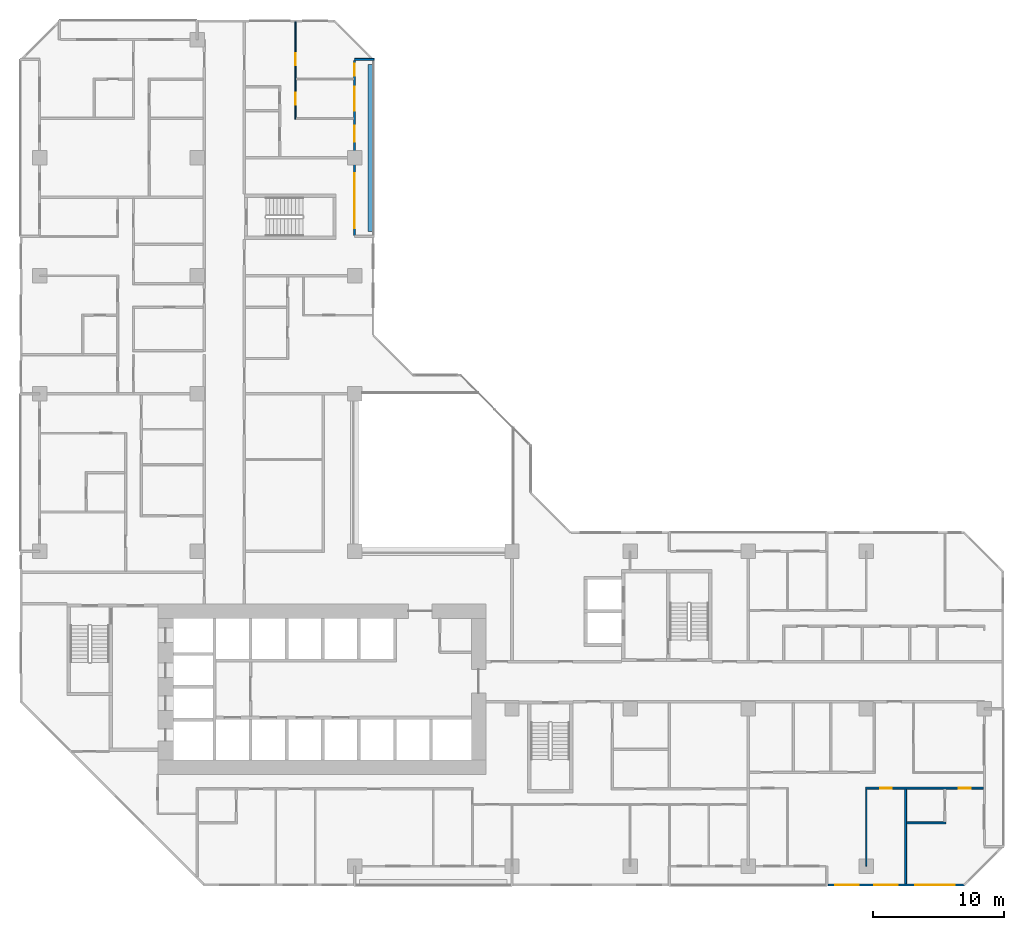
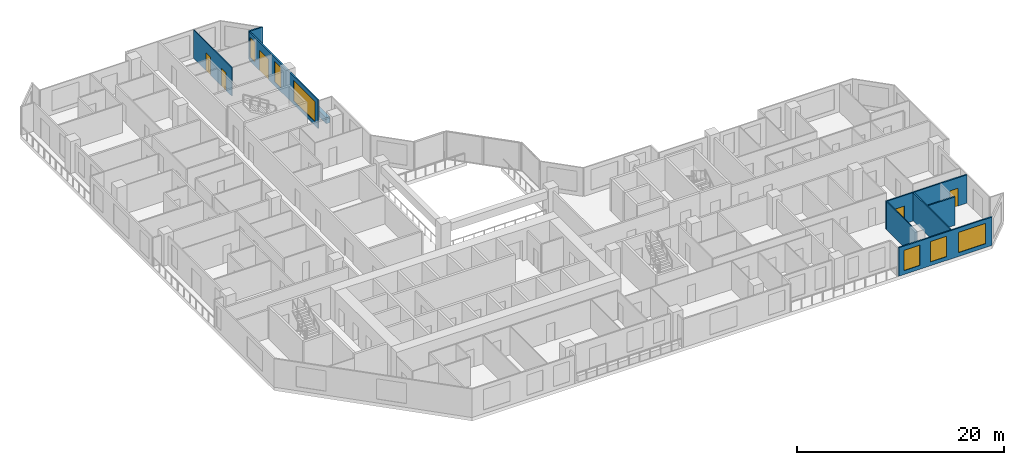
# One storey, part 11 of 15: 9 walls, 6 windows, 5 doors, 11 openings.
"""IFC4 building model written with IfcOpenShell, lengths in metres."""

from ifc_helpers import new_model, si_unit, direction, frame, frame_2d, origin, place, context, subcontext, project, spatial, rectangle, extrude, material, layer, layer_set, type_object, element, fill, save


model = new_model("IFC4")

# Units and contexts
model_context = context("Model", 3, precision=1e-05, world=origin(), true_north=direction((0.0, 1.0)))
body_context = subcontext(model_context, "Body", "Model", "MODEL_VIEW")
ifc_project = project(units=[si_unit("LENGTHUNIT", "METRE"), si_unit("AREAUNIT", "SQUARE_METRE"), si_unit("VOLUMEUNIT", "CUBIC_METRE"), si_unit("PLANEANGLEUNIT", "RADIAN"), si_unit("MASSUNIT", "GRAM", prefix="KILO")], contexts=[model_context])

# Site, building, storey
site_placement = place(None, origin())
site = spatial("IfcSite", under=ifc_project, at=site_placement, CompositionType="ELEMENT")
building_placement = place(site_placement, origin())
building = spatial("IfcBuilding", under=site, at=building_placement, Name="Chenar Terraces", CompositionType="ELEMENT")
storey_placement = place(building_placement, frame((0.0, 0.0, 52.64990234375)))
storey = spatial("IfcBuildingStorey", under=building, at=storey_placement, Name="L10", CompositionType="ELEMENT", Elevation=52.64990234375)

# Wall, openings, windows
ifc_material_1 = material(Name="Aluminium framed glazing", Category="aluminium")
ifc_layer_1 = layer(ifc_material_1, 0.14990234375)
ifc_layer_set_1 = layer_set([ifc_layer_1], Name="Aluminium framed glazing")
wall_type_1 = type_object("IfcWallType", Name="Glazed flush facade wall 150", PredefinedType="SOLIDWALL", material=ifc_layer_set_1)
wall_1_placement = place(storey_placement, frame((60.074951171875, -1.425048828125, 0.0), z_axis=(0.0, 0.0, 1.0), x_axis=(1.0, 0.0, 0.0)))
wall_1 = element("IfcWall", 1, at=wall_1_placement, inside=storey, type_object=wall_type_1, Name="Glazed flush facade wall", PredefinedType="SOLIDWALL", context=body_context, shape_type="SweptSolid", body=[
    extrude(rectangle(XDim=10.425048828125, YDim=0.14990234375, at=frame_2d((5.21240234375, 0.0))), origin(), (0.0, 0.0, 1.0), 3.35009765625),
])
opening_1_placement = place(wall_1_placement, frame((0.5625, 0.0, 0.449951171875)))
opening_1 = element("IfcOpeningElement", 2, at=opening_1_placement, cuts=wall_1, Name="Opening W180x240", PredefinedType="OPENING", context=body_context, shape_type="SweptSolid", body=[
    extrude(rectangle(XDim=1.800048828125, YDim=2.39990234375, at=frame_2d((0.89990234375, 1.199951171875))), frame((0.0, 0.0849609375, 0.0), z_axis=(0.0, -1.0, 0.0), x_axis=(1.0, 0.0, 0.0)), (0.0, 0.0, 1.0), 0.169921875),
])
opening_2_placement = place(wall_1_placement, frame((3.52490234375, 0.0, 0.449951171875)))
opening_2 = element("IfcOpeningElement", 3, at=opening_2_placement, cuts=wall_1, Name="Opening W180x240", PredefinedType="OPENING", context=body_context, shape_type="SweptSolid", body=[
    extrude(rectangle(XDim=1.800048828125, YDim=2.39990234375, at=frame_2d((0.89990234375, 1.199951171875))), frame((0.0, 0.0849609375, 0.0), z_axis=(0.0, -1.0, 0.0), x_axis=(1.0, 0.0, 0.0)), (0.0, 0.0, 1.0), 0.169921875),
])
opening_3_placement = place(wall_1_placement, frame((6.675048828125, 0.0, 0.449951171875)))
opening_3 = element("IfcOpeningElement", 4, at=opening_3_placement, cuts=wall_1, Name="Opening W300x240", PredefinedType="OPENING", context=body_context, shape_type="SweptSolid", body=[
    extrude(rectangle(XDim=3.0, YDim=2.39990234375, at=frame_2d((1.5, 1.199951171875))), frame((0.0, 0.0849609375, 0.0), z_axis=(0.0, -1.0, 0.0), x_axis=(1.0, 0.0, 0.0)), (0.0, 0.0, 1.0), 0.169921875),
])
ifc_material_2 = material(Name="Low emissivity double glazing, aluminium frame", Category="aluminium")
window_type_1 = type_object("IfcWindowType", Name="Fixed light 1800 x 2400", PartitioningType="SINGLE_PANEL", PredefinedType="WINDOW", material=ifc_material_2)
window_1_placement = place(opening_1_placement, origin())
window_1 = element("IfcWindow", 5, at=window_1_placement, inside=storey, type_object=window_type_1, Name="Window", OverallHeight=2.39990234375, OverallWidth=1.800048828125, PartitioningType="SINGLE_PANEL", PredefinedType="WINDOW", context=body_context, shape_type="SweptSolid", body=[
    extrude(rectangle(XDim=1.800048828125, YDim=2.39990234375, at=frame_2d((0.89990234375, 1.199951171875))), frame((0.0, 0.030029296875, 0.0), z_axis=(0.0, -1.0, 0.0), x_axis=(1.0, 0.0, 0.0)), (0.0, 0.0, 1.0), 0.06005859375),
])
fill(opening_1, window_1)
window_2_placement = place(opening_2_placement, origin())
window_2 = element("IfcWindow", 6, at=window_2_placement, inside=storey, type_object=window_type_1, Name="Window", OverallHeight=2.39990234375, OverallWidth=1.800048828125, PartitioningType="SINGLE_PANEL", PredefinedType="WINDOW", context=body_context, shape_type="SweptSolid", body=[
    extrude(rectangle(XDim=1.800048828125, YDim=2.39990234375, at=frame_2d((0.89990234375, 1.199951171875))), frame((0.0, 0.030029296875, 0.0), z_axis=(0.0, -1.0, 0.0), x_axis=(1.0, 0.0, 0.0)), (0.0, 0.0, 1.0), 0.06005859375),
])
fill(opening_2, window_2)
ifc_material_3 = material(Name="Low emissivity double glazing, aluminium frame", Category="aluminium")
window_type_2 = type_object("IfcWindowType", Name="Fixed light 3000 x 2400", PartitioningType="SINGLE_PANEL", PredefinedType="WINDOW", material=ifc_material_3)
window_3_placement = place(opening_3_placement, origin())
window_3 = element("IfcWindow", 7, at=window_3_placement, inside=storey, type_object=window_type_2, Name="Window", OverallHeight=2.39990234375, OverallWidth=3.0, PartitioningType="SINGLE_PANEL", PredefinedType="WINDOW", context=body_context, shape_type="SweptSolid", body=[
    extrude(rectangle(XDim=3.0, YDim=2.39990234375, at=frame_2d((1.5, 1.199951171875))), frame((0.0, 0.030029296875, 0.0), z_axis=(0.0, -1.0, 0.0), x_axis=(1.0, 0.0, 0.0)), (0.0, 0.0, 1.0), 0.06005859375),
])
fill(opening_3, window_3)

# Wall, openings, windows, door
ifc_material_4 = material(Name="Aluminium framed glazing", Category="aluminium")
ifc_layer_2 = layer(ifc_material_4, 0.14990234375)
ifc_layer_set_2 = layer_set([ifc_layer_2], Name="Aluminium framed glazing")
wall_type_2 = type_object("IfcWallType", Name="Glazed loggia back wall 150", PredefinedType="SOLIDWALL", material=ifc_layer_set_2)
wall_2_placement = place(storey_placement, frame((24.0, 48.074951171875, 0.0), z_axis=(0.0, 0.0, 1.0), x_axis=(0.0, 1.0, 0.0)))
wall_2 = element("IfcWall", 8, at=wall_2_placement, inside=storey, type_object=wall_type_2, Name="Glazed loggia back wall", PredefinedType="SOLIDWALL", context=body_context, shape_type="SweptSolid", body=[
    extrude(rectangle(XDim=13.35009765625, YDim=0.14990234375, at=frame_2d((6.675048828125, 0.0))), origin(), (0.0, 0.0, 1.0), 3.35009765625),
])
opening_4_placement = place(wall_2_placement, frame((0.53759765625, 0.0, 0.449951171875)))
opening_4 = element("IfcOpeningElement", 9, at=opening_4_placement, cuts=wall_2, Name="Opening W420x240", PredefinedType="OPENING", context=body_context, shape_type="SweptSolid", body=[
    extrude(rectangle(XDim=4.199951171875, YDim=2.39990234375, at=frame_2d((2.10009765625, 1.199951171875))), frame((0.0, 0.0849609375, 0.0), z_axis=(0.0, -1.0, 0.0), x_axis=(1.0, 0.0, 0.0)), (0.0, 0.0, 1.0), 0.169921875),
])
opening_5_placement = place(wall_2_placement, frame((7.14990234375, 0.0, 0.449951171875)))
opening_5 = element("IfcOpeningElement", 10, at=opening_5_placement, cuts=wall_2, Name="Opening W120x240", PredefinedType="OPENING", context=body_context, shape_type="SweptSolid", body=[
    extrude(rectangle(XDim=1.199951171875, YDim=2.39990234375, at=frame_2d((0.60009765625, 1.199951171875))), frame((0.0, 0.0849609375, 0.0), z_axis=(0.0, -1.0, 0.0), x_axis=(1.0, 0.0, 0.0)), (0.0, 0.0, 1.0), 0.169921875),
])
opening_6_placement = place(wall_2_placement, frame((9.52490234375, 0.0, 0.0)))
opening_6 = element("IfcOpeningElement", 11, at=opening_6_placement, cuts=wall_2, Name="Opening DL10-G1", PredefinedType="OPENING", context=body_context, shape_type="SweptSolid", body=[
    extrude(rectangle(XDim=1.800048828125, YDim=2.39990234375, at=frame_2d((0.89990234375, 1.199951171875))), frame((0.0, 0.0849609375, 0.0), z_axis=(0.0, -1.0, 0.0), x_axis=(1.0, 0.0, 0.0)), (0.0, 0.0, 1.0), 0.169921875),
])
opening_7_placement = place(wall_2_placement, frame((12.1875, 0.0, 0.449951171875)))
opening_7 = element("IfcOpeningElement", 12, at=opening_7_placement, cuts=wall_2, Name="Opening W90x240", PredefinedType="OPENING", context=body_context, shape_type="SweptSolid", body=[
    extrude(rectangle(XDim=0.89990234375, YDim=2.39990234375, at=frame_2d((0.449951171875, 1.199951171875))), frame((0.0, 0.0849609375, 0.0), z_axis=(0.0, -1.0, 0.0), x_axis=(1.0, 0.0, 0.0)), (0.0, 0.0, 1.0), 0.169921875),
])
ifc_material_5 = material(Name="Low emissivity double glazing, aluminium frame", Category="aluminium")
window_type_3 = type_object("IfcWindowType", Name="Fixed light 1200 x 2400", PartitioningType="SINGLE_PANEL", PredefinedType="WINDOW", material=ifc_material_5)
window_4_placement = place(opening_5_placement, origin())
window_4 = element("IfcWindow", 13, at=window_4_placement, inside=storey, type_object=window_type_3, Name="Window", OverallHeight=2.39990234375, OverallWidth=1.199951171875, PartitioningType="SINGLE_PANEL", PredefinedType="WINDOW", context=body_context, shape_type="SweptSolid", body=[
    extrude(rectangle(XDim=1.199951171875, YDim=2.39990234375, at=frame_2d((0.60009765625, 1.199951171875))), frame((0.0, 0.030029296875, 0.0), z_axis=(0.0, -1.0, 0.0), x_axis=(1.0, 0.0, 0.0)), (0.0, 0.0, 1.0), 0.06005859375),
])
fill(opening_5, window_4)
ifc_material_6 = material(Name="Low emissivity double glazing, aluminium frame", Category="aluminium")
window_type_4 = type_object("IfcWindowType", Name="Fixed light 4200 x 2400", PartitioningType="SINGLE_PANEL", PredefinedType="WINDOW", material=ifc_material_6)
window_5_placement = place(opening_4_placement, origin())
window_5 = element("IfcWindow", 14, at=window_5_placement, inside=storey, type_object=window_type_4, Name="Window", OverallHeight=2.39990234375, OverallWidth=4.199951171875, PartitioningType="SINGLE_PANEL", PredefinedType="WINDOW", context=body_context, shape_type="SweptSolid", body=[
    extrude(rectangle(XDim=4.199951171875, YDim=2.39990234375, at=frame_2d((2.10009765625, 1.199951171875))), frame((0.0, 0.030029296875, 0.0), z_axis=(0.0, -1.0, 0.0), x_axis=(1.0, 0.0, 0.0)), (0.0, 0.0, 1.0), 0.06005859375),
])
fill(opening_4, window_5)
ifc_material_7 = material(Name="Low emissivity double glazing, aluminium frame", Category="aluminium")
window_type_5 = type_object("IfcWindowType", Name="Fixed light 900 x 2400", PartitioningType="SINGLE_PANEL", PredefinedType="WINDOW", material=ifc_material_7)
window_6_placement = place(opening_7_placement, origin())
window_6 = element("IfcWindow", 15, at=window_6_placement, inside=storey, type_object=window_type_5, Name="Window", OverallHeight=2.39990234375, OverallWidth=0.89990234375, PartitioningType="SINGLE_PANEL", PredefinedType="WINDOW", context=body_context, shape_type="SweptSolid", body=[
    extrude(rectangle(XDim=0.89990234375, YDim=2.39990234375, at=frame_2d((0.449951171875, 1.199951171875))), frame((0.0, 0.030029296875, 0.0), z_axis=(0.0, -1.0, 0.0), x_axis=(1.0, 0.0, 0.0)), (0.0, 0.0, 1.0), 0.06005859375),
])
fill(opening_7, window_6)
ifc_material_8 = material(Name="Low emissivity double glazing, aluminium frame", Category="aluminium")
door_type_1 = type_object("IfcDoorType", Name="Loggia glazed double door 1800 x 2400", OperationType="DOUBLE_DOOR_SINGLE_SWING", PredefinedType="DOOR", material=ifc_material_8)
door_1_placement = place(opening_6_placement, frame((1.800048828125, 0.0, 0.0), z_axis=(0.0, 0.0, 1.0), x_axis=(-1.0, 0.0, 0.0)))
door_1 = element("IfcDoor", 16, at=door_1_placement, inside=storey, type_object=door_type_1, Name="Loggia glazed door", OperationType="DOUBLE_DOOR_SINGLE_SWING", OverallHeight=2.39990234375, OverallWidth=1.800048828125, PredefinedType="DOOR", context=body_context, shape_type="SweptSolid", body=[
    extrude(rectangle(XDim=1.800048828125, YDim=2.39990234375, at=frame_2d((0.89990234375, 1.199951171875))), frame((0.0, 0.02490234375, 0.0), z_axis=(0.0, -1.0, 0.0), x_axis=(1.0, 0.0, 0.0)), (0.0, 0.0, 1.0), 0.050048828125),
])
fill(opening_6, door_1)

# Wall, openings, doors
ifc_material_9 = material(Name="Gypsum board on steel studs", Category="steel")
ifc_layer_3 = layer(ifc_material_9, 0.10009765625)
ifc_layer_set_3 = layer_set([ifc_layer_3], Name="Gypsum board on steel studs")
wall_type_3 = type_object("IfcWallType", Name="Gypsum partition 100", PredefinedType="PARTITIONING", material=ifc_layer_set_3)
wall_3_placement = place(storey_placement, frame((19.5, 56.949951171875, 0.0), z_axis=(0.0, 0.0, 1.0), x_axis=(0.0, 1.0, 0.0)))
wall_3 = element("IfcWall", 17, at=wall_3_placement, inside=storey, type_object=wall_type_3, Name="Partition L10-058", PredefinedType="PARTITIONING", context=body_context, shape_type="SweptSolid", body=[
    extrude(rectangle(XDim=7.400146484375, YDim=0.10009765625, at=frame_2d((3.7001953125, 0.0))), origin(), (0.0, 0.0, 1.0), 3.35009765625),
])
opening_8_placement = place(wall_3_placement, frame((1.10009765625, 0.0, 0.0)))
opening_8 = element("IfcOpeningElement", 18, at=opening_8_placement, cuts=wall_3, Name="Opening DL10-28", PredefinedType="OPENING", context=body_context, shape_type="SweptSolid", body=[
    extrude(rectangle(XDim=0.89990234375, YDim=2.10009765625, at=frame_2d((0.449951171875, 1.050048828125))), frame((0.0, 0.06005859375, 0.0), z_axis=(0.0, -1.0, 0.0), x_axis=(1.0, 0.0, 0.0)), (0.0, 0.0, 1.0), 0.1201171875),
])
opening_9_placement = place(wall_3_placement, frame((4.10009765625, 0.0, 0.0)))
opening_9 = element("IfcOpeningElement", 19, at=opening_9_placement, cuts=wall_3, Name="Opening DL10-29", PredefinedType="OPENING", context=body_context, shape_type="SweptSolid", body=[
    extrude(rectangle(XDim=0.89990234375, YDim=2.10009765625, at=frame_2d((0.449951171875, 1.050048828125))), frame((0.0, 0.06005859375, 0.0), z_axis=(0.0, -1.0, 0.0), x_axis=(1.0, 0.0, 0.0)), (0.0, 0.0, 1.0), 0.1201171875),
])
ifc_material_10 = material(Name="Veneered timber door leaf", Category="wood")
door_type_2 = type_object("IfcDoorType", Name="Door 900 x 2100", OperationType="SINGLE_SWING_LEFT", PredefinedType="DOOR", material=ifc_material_10)
door_2_placement = place(opening_8_placement, frame((0.89990234375, 0.0, 0.0), z_axis=(0.0, 0.0, 1.0), x_axis=(-1.0, 0.0, 0.0)))
door_2 = element("IfcDoor", 20, at=door_2_placement, inside=storey, type_object=door_type_2, Name="Door DL10-28", OperationType="SINGLE_SWING_RIGHT", OverallHeight=2.10009765625, OverallWidth=0.89990234375, PredefinedType="DOOR", context=body_context, shape_type="SweptSolid", body=[
    extrude(rectangle(XDim=0.89990234375, YDim=2.10009765625, at=frame_2d((0.449951171875, 1.050048828125))), frame((0.0, 0.02490234375, 0.0), z_axis=(0.0, -1.0, 0.0), x_axis=(1.0, 0.0, 0.0)), (0.0, 0.0, 1.0), 0.050048828125),
])
fill(opening_8, door_2)
door_3_placement = place(opening_9_placement, frame((0.89990234375, 0.0, 0.0), z_axis=(0.0, 0.0, 1.0), x_axis=(-1.0, 0.0, 0.0)))
door_3 = element("IfcDoor", 21, at=door_3_placement, inside=storey, type_object=door_type_2, Name="Door DL10-29", OperationType="SINGLE_SWING_RIGHT", OverallHeight=2.10009765625, OverallWidth=0.89990234375, PredefinedType="DOOR", context=body_context, shape_type="SweptSolid", body=[
    extrude(rectangle(XDim=0.89990234375, YDim=2.10009765625, at=frame_2d((0.449951171875, 1.050048828125))), frame((0.0, 0.02490234375, 0.0), z_axis=(0.0, -1.0, 0.0), x_axis=(1.0, 0.0, 0.0)), (0.0, 0.0, 1.0), 0.050048828125),
])
fill(opening_9, door_3)

# Walls
wall_4_placement = place(storey_placement, frame((63.0, 0.0, 0.0), z_axis=(0.0, 0.0, 1.0), x_axis=(0.0, 1.0, 0.0)))
element("IfcWall", 22, at=wall_4_placement, inside=storey, type_object=wall_type_3, Name="Partition L10-098", PredefinedType="PARTITIONING", context=body_context, shape_type="SweptSolid", body=[
    extrude(rectangle(XDim=5.875, YDim=0.10009765625, at=frame_2d((2.9375, 0.0))), origin(), (0.0, 0.0, 1.0), 3.35009765625),
])
ifc_material_11 = material(Name="Terracotta cladding on insulated backing", Category="masonry")
ifc_layer_4 = layer(ifc_material_11, 0.14990234375)
ifc_layer_set_4 = layer_set([ifc_layer_4], Name="Terracotta cladding on insulated backing")
wall_type_4 = type_object("IfcWallType", Name="Loggia return wall 150", PredefinedType="SOLIDWALL", material=ifc_layer_set_4)
wall_5_placement = place(storey_placement, frame((25.5, 61.5, 0.0), z_axis=(0.0, 0.0, 1.0), x_axis=(-1.0, 0.0, 0.0)))
element("IfcWall", 23, at=wall_5_placement, inside=storey, type_object=wall_type_4, Name="Loggia return wall", PredefinedType="SOLIDWALL", context=body_context, shape_type="SweptSolid", body=[
    extrude(rectangle(XDim=1.5, YDim=0.14990234375, at=frame_2d((0.75, 0.0))), origin(), (0.0, 0.0, 1.0), 3.35009765625),
])
ifc_material_12 = material(Name="GRP planter trough")
ifc_layer_5 = layer(ifc_material_12, 0.39990234375)
ifc_layer_set_5 = layer_set([ifc_layer_5], Name="GRP planter trough")
wall_type_5 = type_object("IfcWallType", Name="Vertical greenery planter 400", PredefinedType="SOLIDWALL", material=ifc_layer_set_5)
wall_6_placement = place(storey_placement, frame((25.22900390625, 48.375, 0.0), z_axis=(0.0, 0.0, 1.0), x_axis=(0.0, 1.0, 0.0)))
element("IfcWall", 24, at=wall_6_placement, inside=storey, type_object=wall_type_5, Name="Vertical greenery planter", PredefinedType="SOLIDWALL", context=body_context, shape_type="SweptSolid", body=[
    extrude(rectangle(XDim=12.75, YDim=0.39990234375, at=frame_2d((6.375, 0.0))), origin(), (0.0, 0.0, 1.0), 0.7001953125),
])

# Wall, openings, doors
ifc_material_13 = material(Name="Moisture-resistant gypsum board on steel studs", Category="steel")
ifc_layer_6 = layer(ifc_material_13, 0.14990234375)
ifc_layer_set_6 = layer_set([ifc_layer_6], Name="Moisture-resistant gypsum board on steel studs")
wall_type_6 = type_object("IfcWallType", Name="Wet-room partition 150", PredefinedType="PARTITIONING", material=ifc_layer_set_6)
wall_7_placement = place(storey_placement, frame((62.949951171875, 5.949951171875, 0.0), z_axis=(0.0, 0.0, 1.0), x_axis=(1.0, 0.0, 0.0)))
wall_7 = element("IfcWall", 25, at=wall_7_placement, inside=storey, type_object=wall_type_6, Name="Partition L10-097", PredefinedType="PARTITIONING", context=body_context, shape_type="SweptSolid", body=[
    extrude(rectangle(XDim=8.97607421875, YDim=0.14990234375, at=frame_2d((4.488037109375, 0.0))), origin(), (0.0, 0.0, 1.0), 3.35009765625),
])
opening_10_placement = place(wall_7_placement, frame((1.10009765625, 0.0, 0.0)))
opening_10 = element("IfcOpeningElement", 26, at=opening_10_placement, cuts=wall_7, Name="Opening DL10-16", PredefinedType="OPENING", context=body_context, shape_type="SweptSolid", body=[
    extrude(rectangle(XDim=0.89990234375, YDim=2.10009765625, at=frame_2d((0.449951171875, 1.050048828125))), frame((0.0, 0.0849609375, 0.0), z_axis=(0.0, -1.0, 0.0), x_axis=(1.0, 0.0, 0.0)), (0.0, 0.0, 1.0), 0.169921875),
])
opening_11_placement = place(wall_7_placement, frame((7.10009765625, 0.0, 0.0)))
opening_11 = element("IfcOpeningElement", 27, at=opening_11_placement, cuts=wall_7, Name="Opening DL10-17", PredefinedType="OPENING", context=body_context, shape_type="SweptSolid", body=[
    extrude(rectangle(XDim=0.89990234375, YDim=2.10009765625, at=frame_2d((0.449951171875, 1.050048828125))), frame((0.0, 0.0849609375, 0.0), z_axis=(0.0, -1.0, 0.0), x_axis=(1.0, 0.0, 0.0)), (0.0, 0.0, 1.0), 0.169921875),
])
door_4_placement = place(opening_10_placement, frame((0.89990234375, 0.0, 0.0), z_axis=(0.0, 0.0, 1.0), x_axis=(-1.0, 0.0, 0.0)))
door_4 = element("IfcDoor", 28, at=door_4_placement, inside=storey, type_object=door_type_2, Name="Door DL10-16", OperationType="SINGLE_SWING_RIGHT", OverallHeight=2.10009765625, OverallWidth=0.89990234375, PredefinedType="DOOR", context=body_context, shape_type="SweptSolid", body=[
    extrude(rectangle(XDim=0.89990234375, YDim=2.10009765625, at=frame_2d((0.449951171875, 1.050048828125))), frame((0.0, 0.02490234375, 0.0), z_axis=(0.0, -1.0, 0.0), x_axis=(1.0, 0.0, 0.0)), (0.0, 0.0, 1.0), 0.050048828125),
])
fill(opening_10, door_4)
door_5_placement = place(opening_11_placement, frame((0.89990234375, 0.0, 0.0), z_axis=(0.0, 0.0, 1.0), x_axis=(-1.0, 0.0, 0.0)))
door_5 = element("IfcDoor", 29, at=door_5_placement, inside=storey, type_object=door_type_2, Name="Door DL10-17", OperationType="SINGLE_SWING_RIGHT", OverallHeight=2.10009765625, OverallWidth=0.89990234375, PredefinedType="DOOR", context=body_context, shape_type="SweptSolid", body=[
    extrude(rectangle(XDim=0.89990234375, YDim=2.10009765625, at=frame_2d((0.449951171875, 1.050048828125))), frame((0.0, 0.02490234375, 0.0), z_axis=(0.0, -1.0, 0.0), x_axis=(1.0, 0.0, 0.0)), (0.0, 0.0, 1.0), 0.050048828125),
])
fill(opening_11, door_5)

# Walls
wall_8_placement = place(storey_placement, frame((66.0, -1.35107421875, 0.0), z_axis=(0.0, 0.0, 1.0), x_axis=(0.0, 1.0, 0.0)))
element("IfcWall", 30, at=wall_8_placement, inside=storey, type_object=wall_type_6, Name="Partition L10-101", PredefinedType="PARTITIONING", context=body_context, shape_type="SweptSolid", body=[
    extrude(rectangle(XDim=7.22607421875, YDim=0.14990234375, at=frame_2d((3.613037109375, 0.0))), origin(), (0.0, 0.0, 1.0), 3.35009765625),
])
wall_9_placement = place(storey_placement, frame((66.074951171875, 3.300048828125, 0.0), z_axis=(0.0, 0.0, 1.0), x_axis=(1.0, 0.0, 0.0)))
element("IfcWall", 31, at=wall_9_placement, inside=storey, type_object=wall_type_6, Name="Partition L10-102", PredefinedType="PARTITIONING", context=body_context, shape_type="SweptSolid", body=[
    extrude(rectangle(XDim=3.0, YDim=0.14990234375, at=frame_2d((1.5, 0.0))), origin(), (0.0, 0.0, 1.0), 3.35009765625),
])

save(model, "model.ifc")
